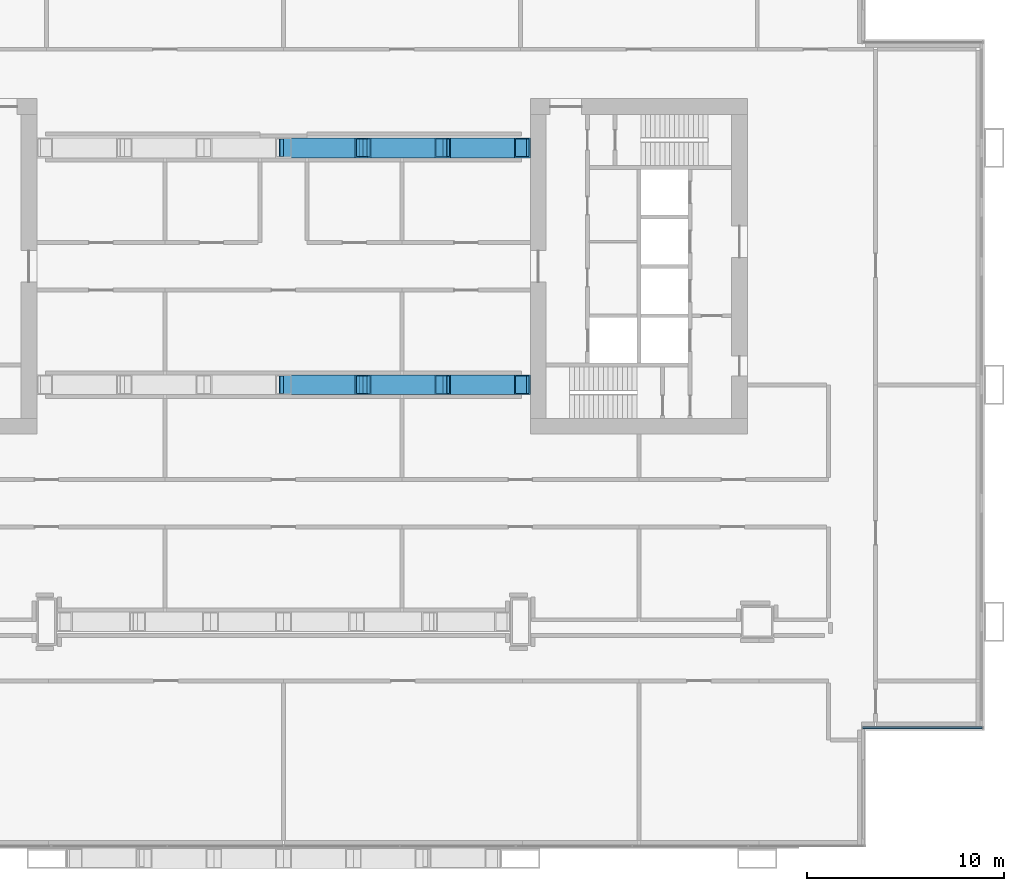
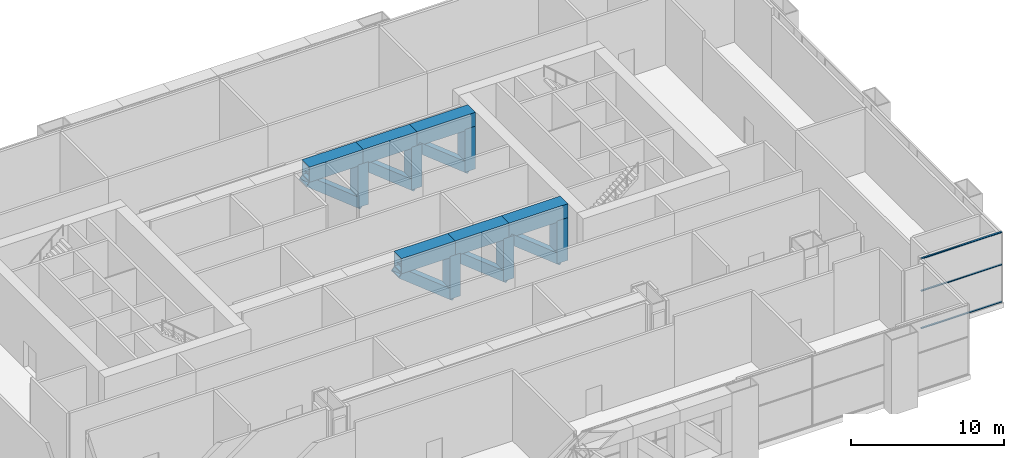
# One storey, part 11 of 27: 15 members, 6 beams, 1 element without a shape of its own.
"""IFC4 building model written with IfcOpenShell, lengths in metres."""

from ifc_helpers import new_model, si_unit, direction, frame, origin, origin_2d, place, context, subcontext, project, spatial, rectangle, hollow_rectangle, extrude, material, material_profile, profile_set, type_object, element, aggregate, save


model = new_model("IFC4")

# Units and contexts
model_context = context("Model", 3, precision=1e-05, world=origin(), true_north=direction((0.0, 1.0)))
body_context = subcontext(model_context, "Body", "Model", "MODEL_VIEW")
ifc_project = project(units=[si_unit("LENGTHUNIT", "METRE"), si_unit("AREAUNIT", "SQUARE_METRE"), si_unit("VOLUMEUNIT", "CUBIC_METRE"), si_unit("PLANEANGLEUNIT", "RADIAN"), si_unit("MASSUNIT", "GRAM", prefix="KILO")], contexts=[model_context])

# Site, building, storey
site_placement = place(None, origin())
site = spatial("IfcSite", under=ifc_project, at=site_placement, CompositionType="ELEMENT")
building_placement = place(site_placement, origin())
building = spatial("IfcBuilding", under=site, at=building_placement, Name="Kitamizu Gate Tower and Museum", CompositionType="ELEMENT")
storey_placement = place(building_placement, frame((0.0, 0.0, 24.0)))
storey = spatial("IfcBuildingStorey", under=building, at=storey_placement, Name="L04", CompositionType="ELEMENT", Elevation=24.0)

# Curtain wall, members
ifc_material_1 = material(Name="Bronze anodised aluminium frame, tinted triple glazing", Category="aluminium")
curtain_wall_type = type_object("IfcCurtainWallType", Name="CURTAIN WALL TYPE F TRANSFER STOREY", PredefinedType="NOTDEFINED", material=ifc_material_1)
curtain_wall_placement = place(storey_placement, origin())
curtain_wall = element("IfcCurtainWall", 1, at=curtain_wall_placement, inside=storey, type_object=curtain_wall_type, Name="Curtain wall CW-F south L04", PredefinedType="NOTDEFINED")
ifc_material_2 = material(Name="Bronze anodised aluminium", Category="aluminium")
ifc_material_profile_1 = material_profile(ifc_material_2, rectangle(XDim=0.10009765625, YDim=0.06005859375, at=origin_2d()), Name="AL 60X100")
ifc_profile_set_1 = profile_set([ifc_material_profile_1], Name="Bronze anodised aluminium")
member_type_1 = type_object("IfcMemberType", Name="TRANSOM 60 X 100 TYPE F", PredefinedType="USERDEFINED", material=ifc_profile_set_1)
member_1_placement = place(storey_placement, frame((65.340087890625, 6.635009765625, 0.030029296875), z_axis=(1.0, 0.0, 0.0), x_axis=(0.0, 1.0, 0.0)))
member_1 = element("IfcMember", 2, at=member_1_placement, type_object=member_type_1, Name="CW-F transom 1.1", ObjectType="TRANSOM", PredefinedType="USERDEFINED", context=body_context, shape_type="SweptSolid", body=[
    extrude(rectangle(XDim=0.10009765625, YDim=0.06005859375, at=origin_2d()), origin(), (0.0, 0.0, 1.0), 6.0498046875),
])
member_2_placement = place(storey_placement, frame((65.340087890625, 6.635009765625, 3.0), z_axis=(1.0, 0.0, 0.0), x_axis=(0.0, 1.0, 0.0)))
member_2 = element("IfcMember", 3, at=member_2_placement, type_object=member_type_1, Name="CW-F transom 1.2", ObjectType="TRANSOM", PredefinedType="USERDEFINED", context=body_context, shape_type="SweptSolid", body=[
    extrude(rectangle(XDim=0.10009765625, YDim=0.06005859375, at=origin_2d()), origin(), (0.0, 0.0, 1.0), 6.0498046875),
])
member_3_placement = place(storey_placement, frame((65.340087890625, 6.635009765625, 5.570068359375), z_axis=(1.0, 0.0, 0.0), x_axis=(0.0, 1.0, 0.0)))
member_3 = element("IfcMember", 4, at=member_3_placement, type_object=member_type_1, Name="CW-F transom 1.3", ObjectType="TRANSOM", PredefinedType="USERDEFINED", context=body_context, shape_type="SweptSolid", body=[
    extrude(rectangle(XDim=0.10009765625, YDim=0.06005859375, at=origin_2d()), origin(), (0.0, 0.0, 1.0), 6.0498046875),
])
aggregate(curtain_wall, [member_1, member_2, member_3])

# Beams
ifc_material_3 = material(Name="Steel SM490A", Category="steel")
ifc_material_profile_2 = material_profile(ifc_material_3, hollow_rectangle(XDim=1.0, YDim=1.199951171875, WallThickness=0.080078125, at=origin_2d()), Name="BOX 1000x1200x80")
ifc_profile_set_2 = profile_set([ifc_material_profile_2], Name="Steel SM490A")
beam_type = type_object("IfcBeamType", Name="Transfer truss chord TTA1 BOX 1000x1200x80", PredefinedType="BEAM", material=ifc_profile_set_2)
beam_1_placement = place(storey_placement, frame((36.0, 24.0, 5.0), z_axis=(1.0, 0.0, 0.0), x_axis=(0.0, 1.0, 0.0)))
element("IfcBeam", 5, at=beam_1_placement, inside=storey, type_object=beam_type, Name="Transfer truss top chord y24-4", PredefinedType="BEAM", context=body_context, shape_type="SweptSolid", body=[
    extrude(hollow_rectangle(XDim=1.0, YDim=1.199951171875, WallThickness=0.080078125, at=origin_2d()), origin(), (0.0, 0.0, 1.0), 4.033447265625),
])
beam_2_placement = place(storey_placement, frame((40.033447265625, 24.0, 5.0), z_axis=(1.0, 0.0, 0.0), x_axis=(0.0, 1.0, 0.0)))
element("IfcBeam", 6, at=beam_2_placement, inside=storey, type_object=beam_type, Name="Transfer truss top chord y24-5", PredefinedType="BEAM", context=body_context, shape_type="SweptSolid", body=[
    extrude(hollow_rectangle(XDim=1.0, YDim=1.199951171875, WallThickness=0.080078125, at=origin_2d()), origin(), (0.0, 0.0, 1.0), 4.033203125),
])
beam_3_placement = place(storey_placement, frame((44.066650390625, 24.0, 5.0), z_axis=(1.0, 0.0, 0.0), x_axis=(0.0, 1.0, 0.0)))
element("IfcBeam", 7, at=beam_3_placement, inside=storey, type_object=beam_type, Name="Transfer truss top chord y24-6", PredefinedType="BEAM", context=body_context, shape_type="SweptSolid", body=[
    extrude(hollow_rectangle(XDim=1.0, YDim=1.199951171875, WallThickness=0.080078125, at=origin_2d()), origin(), (0.0, 0.0, 1.0), 4.433349609375),
])
beam_4_placement = place(storey_placement, frame((36.0, 36.0, 5.0), z_axis=(1.0, 0.0, 0.0), x_axis=(0.0, 1.0, 0.0)))
element("IfcBeam", 8, at=beam_4_placement, inside=storey, type_object=beam_type, Name="Transfer truss top chord y36-4", PredefinedType="BEAM", context=body_context, shape_type="SweptSolid", body=[
    extrude(hollow_rectangle(XDim=1.0, YDim=1.199951171875, WallThickness=0.080078125, at=origin_2d()), origin(), (0.0, 0.0, 1.0), 4.033447265625),
])
beam_5_placement = place(storey_placement, frame((40.033447265625, 36.0, 5.0), z_axis=(1.0, 0.0, 0.0), x_axis=(0.0, 1.0, 0.0)))
element("IfcBeam", 9, at=beam_5_placement, inside=storey, type_object=beam_type, Name="Transfer truss top chord y36-5", PredefinedType="BEAM", context=body_context, shape_type="SweptSolid", body=[
    extrude(hollow_rectangle(XDim=1.0, YDim=1.199951171875, WallThickness=0.080078125, at=origin_2d()), origin(), (0.0, 0.0, 1.0), 4.033203125),
])
beam_6_placement = place(storey_placement, frame((44.066650390625, 36.0, 5.0), z_axis=(1.0, 0.0, 0.0), x_axis=(0.0, 1.0, 0.0)))
element("IfcBeam", 10, at=beam_6_placement, inside=storey, type_object=beam_type, Name="Transfer truss top chord y36-6", PredefinedType="BEAM", context=body_context, shape_type="SweptSolid", body=[
    extrude(hollow_rectangle(XDim=1.0, YDim=1.199951171875, WallThickness=0.080078125, at=origin_2d()), origin(), (0.0, 0.0, 1.0), 4.433349609375),
])

# Members
ifc_material_4 = material(Name="Steel SM490A", Category="steel")
ifc_material_profile_3 = material_profile(ifc_material_4, hollow_rectangle(XDim=1.0, YDim=0.699951171875, WallThickness=0.055908203125, at=origin_2d()), Name="BOX 1000x700x56")
ifc_profile_set_3 = profile_set([ifc_material_profile_3], Name="Steel SM490A")
member_type_2 = type_object("IfcMemberType", Name="Transfer truss diagonal TTA2 BOX 1000x700x56", PredefinedType="BRACE", material=ifc_profile_set_3)
member_4_placement = place(storey_placement, frame((40.033447265625, 24.0, 1.199951171875), z_axis=(-0.783402140456, 0.0, 0.621515153741), x_axis=(0.0, -1.0, 0.0)))
element("IfcMember", 11, at=member_4_placement, inside=storey, type_object=member_type_2, Name="Transfer truss diagonal y24-4", PredefinedType="BRACE", context=body_context, shape_type="SweptSolid", body=[
    extrude(hollow_rectangle(XDim=1.0, YDim=0.699951171875, WallThickness=0.055908203125, at=origin_2d()), origin(), (0.0, 0.0, 1.0), 5.148681640625),
])
member_5_placement = place(storey_placement, frame((44.066650390625, 24.0, 1.199951171875), z_axis=(-0.78338382254, 0.0, 0.621538242253), x_axis=(0.0, -1.0, 0.0)))
element("IfcMember", 12, at=member_5_placement, inside=storey, type_object=member_type_2, Name="Transfer truss diagonal y24-5", PredefinedType="BRACE", context=body_context, shape_type="SweptSolid", body=[
    extrude(hollow_rectangle(XDim=1.0, YDim=0.699951171875, WallThickness=0.055908203125, at=origin_2d()), origin(), (0.0, 0.0, 1.0), 5.1484375),
])
for number, where, z_axis, x_axis, name in (
    (13, (48.10009765625, 24.0, 1.199951171875), (-0.783402140456, 0.0, 0.621515153741), (0.0, -1.0, 0.0), "Transfer truss diagonal y24-6"),
    (14, (40.033447265625, 36.0, 1.199951171875), (-0.783402140456, 0.0, 0.621515153741), (0.0, -1.0, 0.0), "Transfer truss diagonal y36-4"),
):
    element("IfcMember", number, at=place(storey_placement, frame(where, z_axis=z_axis, x_axis=x_axis)), inside=storey, type_object=member_type_2, Name=name, PredefinedType="BRACE", context=body_context, shape_type="SweptSolid", body=[
        extrude(hollow_rectangle(XDim=1.0, YDim=0.699951171875, WallThickness=0.055908203125, at=origin_2d()), origin(), (0.0, 0.0, 1.0), 5.148681640625),
    ])
member_6_placement = place(storey_placement, frame((44.066650390625, 36.0, 1.199951171875), z_axis=(-0.78338382254, 0.0, 0.621538242253), x_axis=(0.0, -1.0, 0.0)))
element("IfcMember", 15, at=member_6_placement, inside=storey, type_object=member_type_2, Name="Transfer truss diagonal y36-5", PredefinedType="BRACE", context=body_context, shape_type="SweptSolid", body=[
    extrude(hollow_rectangle(XDim=1.0, YDim=0.699951171875, WallThickness=0.055908203125, at=origin_2d()), origin(), (0.0, 0.0, 1.0), 5.1484375),
])
member_7_placement = place(storey_placement, frame((48.10009765625, 36.0, 1.199951171875), z_axis=(-0.783402140456, 0.0, 0.621515153741), x_axis=(0.0, -1.0, 0.0)))
element("IfcMember", 16, at=member_7_placement, inside=storey, type_object=member_type_2, Name="Transfer truss diagonal y36-6", PredefinedType="BRACE", context=body_context, shape_type="SweptSolid", body=[
    extrude(hollow_rectangle(XDim=1.0, YDim=0.699951171875, WallThickness=0.055908203125, at=origin_2d()), origin(), (0.0, 0.0, 1.0), 5.148681640625),
])
ifc_material_5 = material(Name="Steel SM490A", Category="steel")
ifc_material_profile_4 = material_profile(ifc_material_5, hollow_rectangle(XDim=0.800048828125, YDim=1.0, WallThickness=0.055908203125, at=origin_2d()), Name="BOX 800x1000x56")
ifc_profile_set_4 = profile_set([ifc_material_profile_4], Name="Steel SM490A")
member_type_3 = type_object("IfcMemberType", Name="Transfer truss post TTA3 BOX 800x1000x56", PredefinedType="POST", material=ifc_profile_set_4)
for number, where, z_axis, x_axis, name in (
    (17, (40.033447265625, 24.0, 1.10009765625), (0.0, 0.0, 1.0), (1.0, 0.0, 0.0), "Transfer truss post y24-5"),
    (18, (44.066650390625, 24.0, 1.10009765625), (0.0, 0.0, 1.0), (1.0, 0.0, 0.0), "Transfer truss post y24-6"),
    (19, (48.10009765625, 24.0, 1.10009765625), (0.0, 0.0, 1.0), (1.0, 0.0, 0.0), "Transfer truss post y24-7"),
    (20, (40.033447265625, 36.0, 1.10009765625), (0.0, 0.0, 1.0), (1.0, 0.0, 0.0), "Transfer truss post y36-5"),
    (21, (44.066650390625, 36.0, 1.10009765625), (0.0, 0.0, 1.0), (1.0, 0.0, 0.0), "Transfer truss post y36-6"),
    (22, (48.10009765625, 36.0, 1.10009765625), (0.0, 0.0, 1.0), (1.0, 0.0, 0.0), "Transfer truss post y36-7"),
):
    element("IfcMember", number, at=place(storey_placement, frame(where, z_axis=z_axis, x_axis=x_axis)), inside=storey, type_object=member_type_3, Name=name, PredefinedType="POST", context=body_context, shape_type="SweptSolid", body=[
        extrude(hollow_rectangle(XDim=0.800048828125, YDim=1.0, WallThickness=0.055908203125, at=origin_2d()), origin(), (0.0, 0.0, 1.0), 3.39990234375),
    ])

save(model, "model.ifc")
